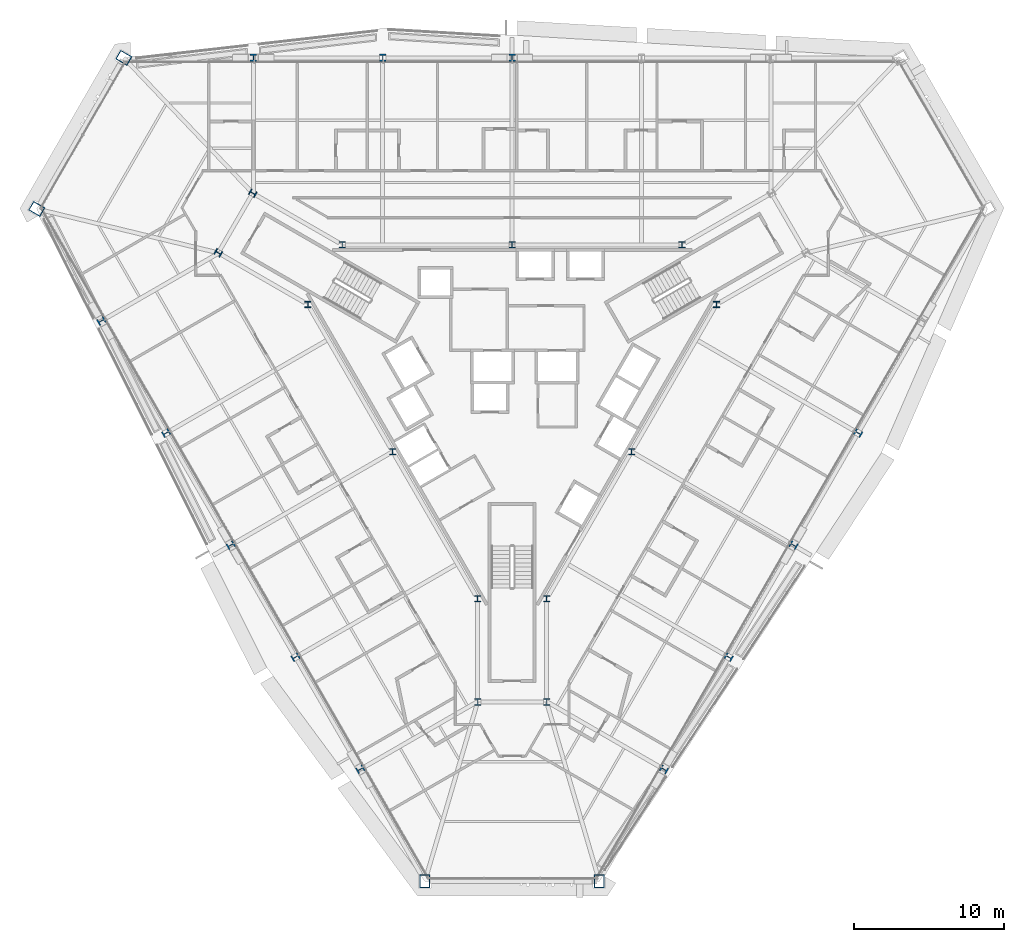
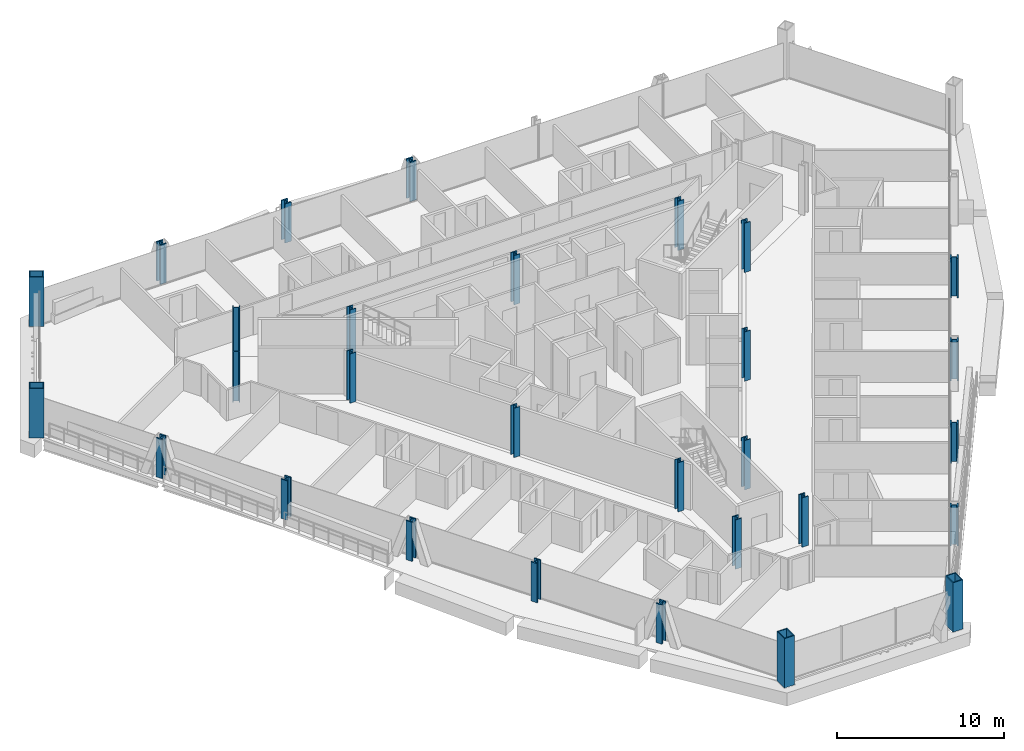
# One storey, part 1 of 18: 29 columns.
"""IFC4 building model written with IfcOpenShell, lengths in metres."""

import ifcopenshell
import ifcopenshell.guid

model = None  # the IFC model being written
_history = None  # IfcOwnerHistory: only IFC2X3 demands one
_inside = {}  # id of a spatial element -> (the spatial element, [elements in it])
_under = {}  # id of a project, library or spatial element -> (it, [spatial elements below it])
_declared = {}  # id of a project -> (the project, [libraries it declares])
_typed = {}  # id of a type object -> (the type object, [elements of that type])
_made_of = {}  # id of a material, layer set ... -> (it, [elements and type objects made of it])


def new_model(schema):
    """Start an empty IFC model of exactly this schema.

    Asked for "IFC4X3", IfcOpenShell would pick the latest addendum, in which some entities
    have other attributes; the version numbers below select the first issue.
    IFC2X3 requires an IfcOwnerHistory on every rooted entity: one is made here for all.
    """
    global model, _history
    if schema == "IFC4X3":
        model = ifcopenshell.file(schema_version=(4, 3, 0, 0))
    else:
        model = ifcopenshell.file(schema=schema)
    _inside.clear()
    _under.clear()
    _declared.clear()
    _typed.clear()
    _made_of.clear()
    _history = None
    if model.schema == "IFC2X3":
        org = make("IfcOrganization", Name="unknown")
        user = make(
            "IfcPersonAndOrganization",
            ThePerson=make("IfcPerson", FamilyName="unknown"),
            TheOrganization=org,
        )
        app = make(
            "IfcApplication",
            ApplicationDeveloper=org,
            Version="unknown",
            ApplicationFullName="unknown",
            ApplicationIdentifier="unknown",
        )
        _history = make(
            "IfcOwnerHistory",
            OwningUser=user,
            OwningApplication=app,
            ChangeAction="ADDED",
            CreationDate=0,
        )
    return model


def make(cls, **values):
    """One entity of the class cls with the attributes given. An attribute that is None is left unset."""
    return model.create_entity(
        cls, **{name: value for name, value in values.items() if value is not None}
    )


def rooted(cls, **values):
    """An entity with a GlobalId (a new one), such as an element, a storey or a relation."""
    return make(cls, GlobalId=ifcopenshell.guid.new(), OwnerHistory=_history, **values)


def si_unit(unit_type, name, prefix=None):
    """IfcSIUnit, for example si_unit("LENGTHUNIT", "METRE", prefix="MILLI")."""
    return make("IfcSIUnit", UnitType=unit_type, Prefix=prefix, Name=name)


def assignment(units):
    """IfcUnitAssignment: the units of a project."""
    return None if units is None else make("IfcUnitAssignment", Units=units)


def point(xyz):
    """IfcCartesianPoint."""
    return None if xyz is None else make("IfcCartesianPoint", Coordinates=xyz)


def direction(xyz):
    """IfcDirection."""
    return None if xyz is None else make("IfcDirection", DirectionRatios=xyz)


def frame(location, z_axis=None, x_axis=None):
    """IfcAxis2Placement3D, a coordinate frame: its origin and axes. An axis left out is left unset."""
    return make(
        "IfcAxis2Placement3D",
        Location=point(location),
        Axis=direction(z_axis),
        RefDirection=direction(x_axis),
    )


def frame_2d(location, x_axis=None):
    """IfcAxis2Placement2D, a coordinate frame in the plane: its origin and x axis."""
    return make(
        "IfcAxis2Placement2D", Location=point(location), RefDirection=direction(x_axis)
    )


def origin():
    """The frame at (0, 0, 0) with its axes left unset."""
    return frame((0.0, 0.0, 0.0))


def origin_2d():
    """The frame at (0, 0) in the plane with its x axis left unset."""
    return frame_2d((0.0, 0.0))


def place(relative_to, where):
    """IfcLocalPlacement: puts the frame where relative to a parent placement (None: the world)."""
    return make(
        "IfcLocalPlacement", PlacementRelTo=relative_to, RelativePlacement=where
    )


def context(
    kind, dimensions, precision=None, world=None, true_north=None, identifier=None
):
    """IfcGeometricRepresentationContext, for example the 3D "Model" context."""
    return make(
        "IfcGeometricRepresentationContext",
        ContextIdentifier=identifier,
        ContextType=kind,
        CoordinateSpaceDimension=dimensions,
        Precision=precision,
        WorldCoordinateSystem=world,
        TrueNorth=true_north,
    )


def subcontext(parent, identifier, kind, view, scale=None):
    """IfcGeometricRepresentationSubContext, for example "Body" below "Model"."""
    return make(
        "IfcGeometricRepresentationSubContext",
        ContextIdentifier=identifier,
        ContextType=kind,
        ParentContext=parent,
        TargetScale=scale,
        TargetView=view,
    )


def project(units=None, contexts=None):
    """IfcProject with its units and contexts."""
    return rooted(
        "IfcProject",
        Name="project",
        RepresentationContexts=contexts,
        UnitsInContext=assignment(units),
    )


def spatial(cls, under=None, at=None, **own):
    """A site, building, storey or space (cls), placed at a placement, below another one or the project."""
    s = rooted(cls, ObjectPlacement=at, **own)
    if under is not None:
        _under.setdefault(under.id(), (under, []))[1].append(s)
    return s


def profile(cls, at=None, kind="AREA", **sizes):
    """A parametric profile (cls). Its sizes go by their IFC names, for example OverallWidth=200.0."""
    return make(cls, ProfileType=kind, Position=at, **sizes)


def hollow_rectangle(**sizes):
    """IfcRectangleHollowProfileDef."""
    return profile("IfcRectangleHollowProfileDef", **sizes)


def i_section(**sizes):
    """IfcIShapeProfileDef."""
    return profile("IfcIShapeProfileDef", **sizes)


def extrude(swept, where, along, depth):
    """IfcExtrudedAreaSolid: the profile swept, set in the frame where, extruded along a direction by depth."""
    return make(
        "IfcExtrudedAreaSolid",
        SweptArea=swept,
        Position=where,
        ExtrudedDirection=direction(along),
        Depth=depth,
    )


def shape(context_of_items, identifier, shape_type, items):
    """IfcShapeRepresentation: the items that make up one representation, for example the "Body"."""
    return make(
        "IfcShapeRepresentation",
        ContextOfItems=context_of_items,
        RepresentationIdentifier=identifier,
        RepresentationType=shape_type,
        Items=items,
    )


def material(Name=None, Category=None):
    """IfcMaterial."""
    return make("IfcMaterial", Name=Name, Category=Category)


def material_profile(
    of_material, cross_section, Name=None, Category=None, Priority=None
):
    """IfcMaterialProfile: a cross section and its material."""
    return make(
        "IfcMaterialProfile",
        Name=Name,
        Material=of_material,
        Profile=cross_section,
        Priority=Priority,
        Category=Category,
    )


def profile_set(profiles, Name=None, composite=None):
    """IfcMaterialProfileSet."""
    return make(
        "IfcMaterialProfileSet",
        Name=Name,
        MaterialProfiles=profiles,
        CompositeProfile=composite,
    )


def made_of(thing, what):
    """Note that an element or type object is made of a material, layer set ...; save() writes the relation."""
    if what is not None:
        _made_of.setdefault(what.id(), (what, []))[1].append(thing)
    return thing


def type_object(cls, material=None, **own):
    """A type object (cls), such as IfcWallType, which elements share."""
    return made_of(rooted(cls, **own), material)


def element(
    cls,
    number,
    at=None,
    inside=None,
    cuts=None,
    type_object=None,
    material=None,
    context=None,
    identifier="Body",
    shape_type=None,
    held_by="IfcProductDefinitionShape",
    body=None,
    shapes=None,
    **own,
):
    """One element of the class cls, such as IfcWall. Its Tag is "e" and its number.

    at: its placement. inside: the storey or other place that contains it. cuts: it is an
    opening in that element (IfcRelVoidsElement). A single representation is given by context,
    identifier, shape_type and body (its items); several are given by shapes. held_by: the class
    of the entity that holds the representations. save() writes the other relations.
    """
    e = rooted(cls, Tag="e%d" % number, ObjectPlacement=at, **own)
    if body is not None:
        shapes = [shape(context, identifier, shape_type, body)]
    if shapes is not None:
        e.Representation = make(held_by, Representations=shapes)
    if inside is not None:
        _inside.setdefault(inside.id(), (inside, []))[1].append(e)
    if cuts is not None:
        rooted(
            "IfcRelVoidsElement", RelatingBuildingElement=cuts, RelatedOpeningElement=e
        )
    if type_object is not None:
        _typed.setdefault(type_object.id(), (type_object, []))[1].append(e)
    return made_of(e, material)


def aggregate(whole, parts):
    """IfcRelAggregates: a whole, such as a stair, and the parts it consists of."""
    return rooted("IfcRelAggregates", RelatingObject=whole, RelatedObjects=parts)


def save(model, path):
    """Write the relations noted so far, then the file.

    IfcRelAggregates (storeys below a building ...), IfcRelContainedInSpatialStructure (elements
    in a storey), IfcRelDefinesByType, IfcRelAssociatesMaterial and IfcRelDeclares: one each for
    every whole, place, type object, material and project.
    """
    for whole, parts in _under.values():
        aggregate(whole, parts)
    for where, things in _inside.values():
        rooted(
            "IfcRelContainedInSpatialStructure",
            RelatedElements=things,
            RelatingStructure=where,
        )
    for kind, things in _typed.values():
        rooted("IfcRelDefinesByType", RelatedObjects=things, RelatingType=kind)
    for what, things in _made_of.values():
        rooted("IfcRelAssociatesMaterial", RelatedObjects=things, RelatingMaterial=what)
    for by, libraries in _declared.values():
        rooted("IfcRelDeclares", RelatingContext=by, RelatedDefinitions=libraries)
    model.write(path)


model = new_model("IFC4")

# Units and contexts
model_context = context("Model", 3, precision=1e-05, world=origin(), true_north=direction((0.0, 1.0)))
body_context = subcontext(model_context, "Body", "Model", "MODEL_VIEW")
ifc_project = project(units=[si_unit("LENGTHUNIT", "METRE"), si_unit("AREAUNIT", "SQUARE_METRE"), si_unit("VOLUMEUNIT", "CUBIC_METRE"), si_unit("PLANEANGLEUNIT", "RADIAN"), si_unit("MASSUNIT", "GRAM", prefix="KILO")], contexts=[model_context])

# Site, building, storey
site_placement = place(None, origin())
site = spatial("IfcSite", under=ifc_project, at=site_placement, CompositionType="ELEMENT")
building_placement = place(site_placement, origin())
building = spatial("IfcBuilding", under=site, at=building_placement, Name="Verrane Prism Tower", CompositionType="ELEMENT")
storey_placement = place(building_placement, frame((0.0, 0.0, 83.60009765625)))
storey = spatial("IfcBuildingStorey", under=building, at=storey_placement, Name="L19", CompositionType="ELEMENT", Elevation=83.60009765625)

# Columns
ifc_material_1 = material(Name="Steel A992", Category="steel")
ifc_material_profile_1 = material_profile(ifc_material_1, i_section(OverallWidth=0.419189453125, OverallDepth=0.45458984375, WebThickness=0.042236328125, FlangeThickness=0.067626953125, FilletRadius=0.01513671875, at=origin_2d()), Name="W14x370")
ifc_profile_set_1 = profile_set([ifc_material_profile_1], Name="Steel A992")
column_type_1 = type_object("IfcColumnType", Name="Core corner column W14x370", PredefinedType="COLUMN", material=ifc_profile_set_1)
for number, where, z_axis, x_axis, name in (
    (1, (-17.300048828125, 12.639892578125, 0.0), (0.0, 0.0, 1.0), (0.5, 0.866025403784, 0.0), "Core corner column CK-NWm L19"),
    (2, (-19.60009765625, 8.659912109375, 0.0), (0.0, 0.0, 1.0), (0.5, 0.866025403784, 0.0), "Core corner column CK-NWp L19"),
    (3, (-2.300048828125, -21.300048828125, 0.0), (0.0, 0.0, 1.0), (-1.0, 0.0, 0.0), "Core corner column CK-Sm L19"),
    (4, (2.300048828125, -21.300048828125, 0.0), (0.0, 0.0, 1.0), (-1.0, 0.0, 0.0), "Core corner column CK-Sp L19"),
):
    element("IfcColumn", number, at=place(storey_placement, frame(where, z_axis=z_axis, x_axis=x_axis)), inside=storey, type_object=column_type_1, Name=name, PredefinedType="COLUMN", context=body_context, shape_type="SweptSolid", body=[
        extrude(i_section(OverallWidth=0.419189453125, OverallDepth=0.45458984375, WebThickness=0.042236328125, FlangeThickness=0.067626953125, FilletRadius=0.01513671875, at=origin_2d()), origin(), (0.0, 0.0, 1.0), 3.599853515625),
    ])
ifc_material_2 = material(Name="Steel A992", Category="steel")
ifc_material_profile_2 = material_profile(ifc_material_2, i_section(OverallWidth=0.406494140625, OverallDepth=0.41650390625, WebThickness=0.030029296875, FlangeThickness=0.048095703125, FilletRadius=0.01513671875, at=origin_2d()), Name="W14x257")
ifc_profile_set_2 = profile_set([ifc_material_profile_2], Name="Steel A992")
column_type_2 = type_object("IfcColumnType", Name="Core side column W14x257", PredefinedType="COLUMN", material=ifc_profile_set_2)
for number, where, z_axis, x_axis, name in (
    (5, (13.6298828125, 5.219970703125, 0.0), (0.0, 0.0, 1.0), (1.0, 0.0, 0.0), "Core side column CC-NEm L19"),
    (6, (11.330078125, 9.199951171875, 0.0), (0.0, 0.0, 1.0), (1.0, 0.0, 0.0), "Core side column CC-NEp L19"),
    (7, (0.0, 9.199951171875, 0.0), (0.0, 0.0, 1.0), (1.0, 0.0, 0.0), "Core side column CC-N0 L19"),
    (8, (-11.330078125, 9.199951171875, 0.0), (0.0, 0.0, 1.0), (1.0, 0.0, 0.0), "Core side column CC-NWm L19"),
    (9, (-13.6298828125, 5.219970703125, 0.0), (0.0, 0.0, 1.0), (1.0, 0.0, 0.0), "Core side column CC-NWp L19"),
    (10, (-7.969970703125, -4.60009765625, 0.0), (0.0, 0.0, 1.0), (1.0, 0.0, 0.0), "Core side column CC-SW0 L19"),
    (11, (-2.300048828125, -14.419921875, 0.0), (0.0, 0.0, 1.0), (1.0, 0.0, 0.0), "Core side column CC-Sm L19"),
    (12, (2.300048828125, -14.419921875, 0.0), (0.0, 0.0, 1.0), (1.0, 0.0, 0.0), "Core side column CC-Sp L19"),
    (13, (7.969970703125, -4.60009765625, 0.0), (0.0, 0.0, 1.0), (1.0, 0.0, 0.0), "Core side column CC-SE0 L19"),
):
    element("IfcColumn", number, at=place(storey_placement, frame(where, z_axis=z_axis, x_axis=x_axis)), inside=storey, type_object=column_type_2, Name=name, PredefinedType="COLUMN", context=body_context, shape_type="SweptSolid", body=[
        extrude(i_section(OverallWidth=0.406494140625, OverallDepth=0.41650390625, WebThickness=0.030029296875, FlangeThickness=0.048095703125, FilletRadius=0.01513671875, at=origin_2d()), origin(), (0.0, 0.0, 1.0), 3.599853515625),
    ])
ifc_material_3 = material(Name="Steel A572 Grade 50", Category="steel")
ifc_material_profile_3 = material_profile(ifc_material_3, hollow_rectangle(XDim=0.699951171875, YDim=0.89990234375, WallThickness=0.06494140625, at=origin_2d()), Name="BOX 900x700x65")
ifc_profile_set_3 = profile_set([ifc_material_profile_3], Name="Steel A572 Grade 50")
column_type_3 = type_object("IfcColumnType", Name="Megacolumn BOX 900x700x65", PredefinedType="COLUMN", material=ifc_profile_set_3)
for number, where, z_axis, x_axis, name in (
    (14, (-25.89990234375, 21.669921875, 0.0), (0.0, 0.0, 1.0), (0.5, 0.866025403784, 0.0), "Megacolumn MC-NW.a L19"),
    (15, (-31.7099609375, 11.590087890625, 0.0), (0.0, 0.0, 1.0), (0.5, 0.866025403784, 0.0), "Megacolumn MC-NW.b L19"),
    (16, (-5.820068359375, -33.260009765625, 0.0), (0.0, 0.0, 1.0), (-1.0, 0.0, 0.0), "Megacolumn MC-S.a L19"),
    (17, (5.820068359375, -33.260009765625, 0.0), (0.0, 0.0, 1.0), (-1.0, 0.0, 0.0), "Megacolumn MC-S.b L19"),
):
    element("IfcColumn", number, at=place(storey_placement, frame(where, z_axis=z_axis, x_axis=x_axis)), inside=storey, type_object=column_type_3, Name=name, PredefinedType="COLUMN", context=body_context, shape_type="SweptSolid", body=[
        extrude(hollow_rectangle(XDim=0.699951171875, YDim=0.89990234375, WallThickness=0.06494140625, at=origin_2d()), origin(), (0.0, 0.0, 1.0), 3.599853515625),
    ])
ifc_material_4 = material(Name="Steel A992", Category="steel")
ifc_material_profile_4 = material_profile(ifc_material_4, i_section(OverallWidth=0.431884765625, OverallDepth=0.497802734375, WebThickness=0.0556640625, FlangeThickness=0.0888671875, FilletRadius=0.01513671875, at=origin_2d()), Name="W14x500")
ifc_profile_set_4 = profile_set([ifc_material_profile_4], Name="Steel A992")
column_type_4 = type_object("IfcColumnType", Name="Perimeter column W14x500", PredefinedType="COLUMN", material=ifc_profile_set_4)
for number, where, z_axis, x_axis, name in (
    (18, (0.0, 21.669921875, 0.0), (0.0, 0.0, 1.0), (1.0, 0.0, 0.0), "Perimeter column PC-N3 L19"),
    (19, (-8.6298828125, 21.669921875, 0.0), (0.0, 0.0, 1.0), (1.0, 0.0, 0.0), "Perimeter column PC-N4 L19"),
    (20, (-17.260009765625, 21.669921875, 0.0), (0.0, 0.0, 1.0), (1.0, 0.0, 0.0), "Perimeter column PC-N5 L19"),
    (21, (-27.39990234375, 4.1201171875, 0.0), (0.0, 0.0, 1.0), (-0.5, 0.866025403784, 0.0), "Perimeter column PC-SW1 L19"),
    (22, (-23.080078125, -3.360107421875, 0.0), (0.0, 0.0, 1.0), (-0.5, 0.866025403784, 0.0), "Perimeter column PC-SW2 L19"),
    (23, (-18.77001953125, -10.840087890625, 0.0), (0.0, 0.0, 1.0), (-0.5, 0.866025403784, 0.0), "Perimeter column PC-SW3 L19"),
    (24, (-14.449951171875, -18.31005859375, 0.0), (0.0, 0.0, 1.0), (-0.5, 0.866025403784, 0.0), "Perimeter column PC-SW4 L19"),
    (25, (-10.1298828125, -25.7900390625, 0.0), (0.0, 0.0, 1.0), (-0.5, 0.866025403784, 0.0), "Perimeter column PC-SW5 L19"),
    (26, (10.1298828125, -25.7900390625, 0.0), (0.0, 0.0, 1.0), (-0.5, -0.866025403784, 0.0), "Perimeter column PC-SE1 L19"),
    (27, (14.449951171875, -18.31005859375, 0.0), (0.0, 0.0, 1.0), (-0.5, -0.866025403784, 0.0), "Perimeter column PC-SE2 L19"),
    (28, (18.77001953125, -10.840087890625, 0.0), (0.0, 0.0, 1.0), (-0.5, -0.866025403784, 0.0), "Perimeter column PC-SE3 L19"),
    (29, (23.080078125, -3.360107421875, 0.0), (0.0, 0.0, 1.0), (-0.5, -0.866025403784, 0.0), "Perimeter column PC-SE4 L19"),
):
    element("IfcColumn", number, at=place(storey_placement, frame(where, z_axis=z_axis, x_axis=x_axis)), inside=storey, type_object=column_type_4, Name=name, PredefinedType="COLUMN", context=body_context, shape_type="SweptSolid", body=[
        extrude(i_section(OverallWidth=0.431884765625, OverallDepth=0.497802734375, WebThickness=0.0556640625, FlangeThickness=0.0888671875, FilletRadius=0.01513671875, at=origin_2d()), origin(), (0.0, 0.0, 1.0), 2.869873046875),
    ])

save(model, "model.ifc")
